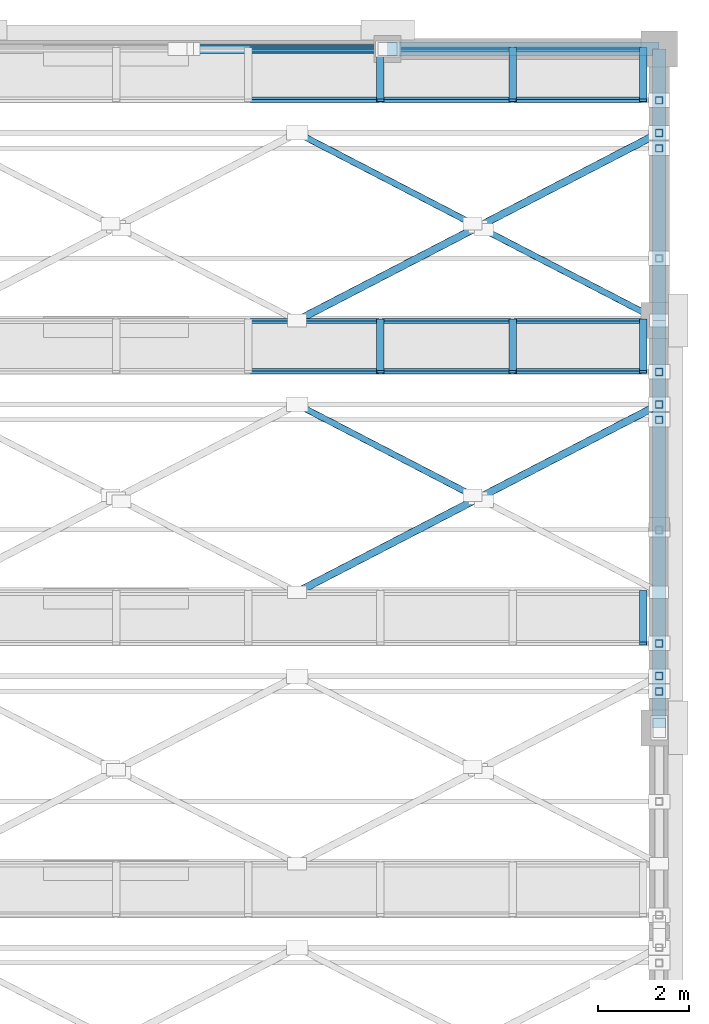
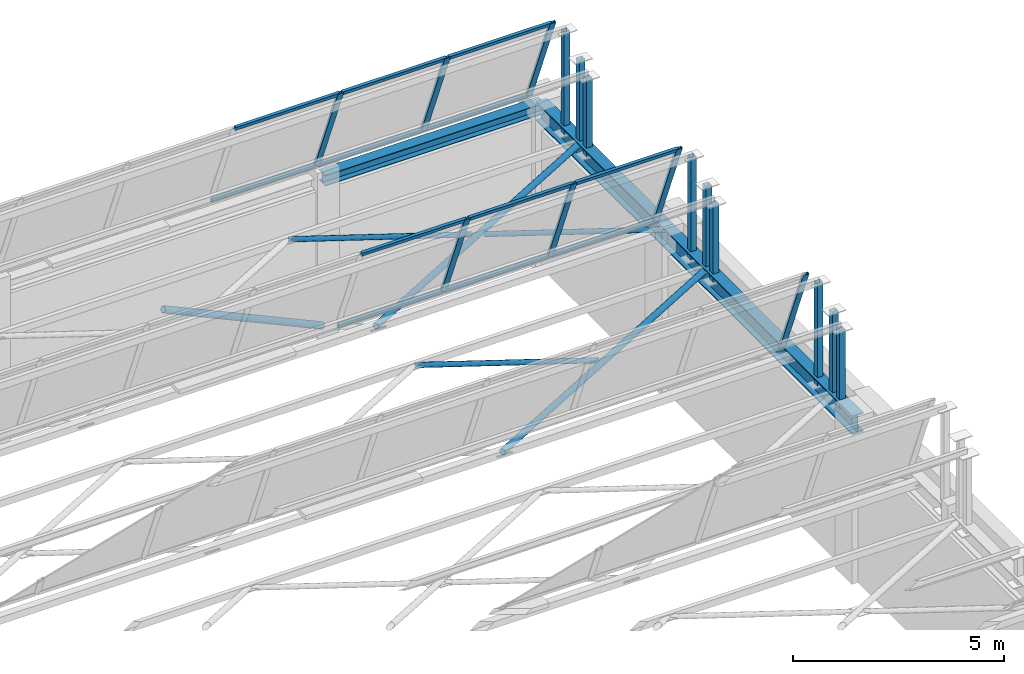
# One storey, part 62 of 98: 34 members, 3 beams, 3 elements without a shape of their own.
"""IFC4 building model written with IfcOpenShell, lengths in metres."""

from ifc_helpers import new_model, si_unit, direction, frame, origin, origin_2d, place, context, subcontext, project, spatial, hollow_rectangle, hollow_circle, i_section, extrude, material, material_profile, profile_set, type_object, element, aggregate, save


model = new_model("IFC4")

# Units and contexts
model_context = context("Model", 3, precision=1e-05, world=origin(), true_north=direction((0.0, 1.0)))
body_context = subcontext(model_context, "Body", "Model", "MODEL_VIEW")
ifc_project = project(units=[si_unit("LENGTHUNIT", "METRE"), si_unit("AREAUNIT", "SQUARE_METRE"), si_unit("VOLUMEUNIT", "CUBIC_METRE"), si_unit("PLANEANGLEUNIT", "RADIAN"), si_unit("MASSUNIT", "GRAM", prefix="KILO")], contexts=[model_context])

# Site, building, storey
site_placement = place(None, origin())
site = spatial("IfcSite", under=ifc_project, at=site_placement, CompositionType="ELEMENT")
building_placement = place(site_placement, origin())
building = spatial("IfcBuilding", under=site, at=building_placement, Name="Lykobir Media Centre", CompositionType="ELEMENT")
storey_placement = place(building_placement, frame((0.0, 0.0, 10.199951171875)))
storey = spatial("IfcBuildingStorey", under=building, at=storey_placement, Name="L02", CompositionType="ELEMENT", Elevation=10.199951171875)

# Beams
ifc_material_1 = material(Name="Steel S355", Category="steel")
ifc_material_profile_1 = material_profile(ifc_material_1, i_section(OverallWidth=0.300048828125, OverallDepth=0.550048828125, WebThickness=0.014892578125, FlangeThickness=0.029052734375, at=origin_2d()), Name="HEB 550")
ifc_profile_set_1 = profile_set([ifc_material_profile_1], Name="Steel S355")
beam_type_1 = type_object("IfcBeamType", Name="BM-HEB550-E", PredefinedType="BEAM", material=ifc_profile_set_1)
beam_1_placement = place(storey_placement, frame((168.0, 99.0, 4.275146484375), z_axis=(0.0, 1.0, 0.0), x_axis=(-1.0, 0.0, 0.0)))
element("IfcBeam", 1, at=beam_1_placement, inside=storey, type_object=beam_type_1, Name="Beam BM-L02-1680-0990-1680-1080-1448", PredefinedType="BEAM", context=body_context, shape_type="SweptSolid", body=[
    extrude(i_section(OverallWidth=0.300048828125, OverallDepth=0.550048828125, WebThickness=0.014892578125, FlangeThickness=0.029052734375, at=origin_2d()), origin(), (0.0, 0.0, 1.0), 9.0),
])
beam_2_placement = place(storey_placement, frame((168.0, 108.0, 4.275146484375), z_axis=(0.0, 1.0, 0.0), x_axis=(-1.0, 0.0, 0.0)))
element("IfcBeam", 2, at=beam_2_placement, inside=storey, type_object=beam_type_1, Name="Beam BM-L02-1680-1080-1680-1140-1448", PredefinedType="BEAM", context=body_context, shape_type="SweptSolid", body=[
    extrude(i_section(OverallWidth=0.300048828125, OverallDepth=0.550048828125, WebThickness=0.014892578125, FlangeThickness=0.029052734375, at=origin_2d()), origin(), (0.0, 0.0, 1.0), 6.0),
])

# Members
ifc_material_profile_2 = material_profile(ifc_material_1, hollow_circle(Radius=0.06982421875, WallThickness=0.008056640625, at=origin_2d()), Name="CHS 139.7x8.0")
ifc_profile_set_2 = profile_set([ifc_material_profile_2], Name="Steel S355")
member_type_1 = type_object("IfcMemberType", Name="BR-CHS140", PredefinedType="BRACE", material=ifc_profile_set_2)
member_1_placement = place(storey_placement, frame((163.875732421875, 104.136962890625, 4.43994140625), z_axis=(-0.88790262671, 0.460031439666, 0.0), x_axis=(-0.460031439666, -0.88790262671, 0.0)))
element("IfcMember", 3, at=member_1_placement, inside=storey, type_object=member_type_1, Name="Diagonal brace MEM2-L02-1639-1041-0146-1600-1061-0396", PredefinedType="BRACE", context=body_context, shape_type="SweptSolid", body=[
    extrude(hollow_circle(Radius=0.06982421875, WallThickness=0.008056640625, at=origin_2d()), origin(), (0.0, 0.0, 1.0), 4.364990234375),
])
member_2_placement = place(storey_placement, frame((168.0, 108.0, 4.43994140625), z_axis=(-0.887879780504, 0.460075532247, 0.0), x_axis=(-0.460075532247, -0.887879780504, 0.0)))
element("IfcMember", 4, at=member_2_placement, inside=storey, type_object=member_type_1, Name="Diagonal brace MEM2-L02-1680-1080-0146-1641-1100-0415", PredefinedType="BRACE", context=body_context, shape_type="SweptSolid", body=[
    extrude(hollow_circle(Radius=0.06982421875, WallThickness=0.008056640625, at=origin_2d()), origin(), (0.0, 0.0, 1.0), 4.365234375),
])
member_3_placement = place(storey_placement, frame((163.875732421875, 110.136962890625, 4.43994140625), z_axis=(-0.88790262671, 0.460031439666, 0.0), x_axis=(-0.460031439666, -0.88790262671, 0.0)))
element("IfcMember", 5, at=member_3_placement, inside=storey, type_object=member_type_1, Name="Diagonal brace MEM2-L02-1639-1101-0146-1600-1121-0416", PredefinedType="BRACE", context=body_context, shape_type="SweptSolid", body=[
    extrude(hollow_circle(Radius=0.06982421875, WallThickness=0.008056640625, at=origin_2d()), origin(), (0.0, 0.0, 1.0), 4.364990234375),
])
ifc_material_profile_3 = material_profile(ifc_material_1, hollow_circle(Radius=0.084228515625, WallThickness=0.010009765625, at=origin_2d()), Name="CHS 168.3x10.0")
ifc_profile_set_3 = profile_set([ifc_material_profile_3], Name="Steel S355")
member_type_2 = type_object("IfcMemberType", Name="BR-CHS168", PredefinedType="BRACE", material=ifc_profile_set_3)
for number, where, z_axis, x_axis, name in (
    (6, (160.0, 102.0, 4.43994140625), (0.887896386773, 0.460043483113, 0.0), (-0.460043483113, 0.887896386773, 0.0), "Diagonal brace MEM2-L02-1600-1020-0146-1680-1061-0394"),
    (7, (160.0, 108.0, 4.43994140625), (0.887896386773, 0.460043483113, 0.0), (-0.460043483113, 0.887896386773, 0.0), "Diagonal brace MEM2-L02-1600-1080-0146-1680-1121-0414"),
):
    element("IfcMember", number, at=place(storey_placement, frame(where, z_axis=z_axis, x_axis=x_axis)), inside=storey, type_object=member_type_2, Name=name, PredefinedType="BRACE", context=body_context, shape_type="SweptSolid", body=[
        extrude(hollow_circle(Radius=0.084228515625, WallThickness=0.010009765625, at=origin_2d()), origin(), (0.0, 0.0, 1.0), 9.010009765625),
    ])
ifc_material_profile_4 = material_profile(ifc_material_1, hollow_circle(Radius=0.096923828125, WallThickness=0.010009765625, at=origin_2d()), Name="CHS 193.7x10.0")
ifc_profile_set_4 = profile_set([ifc_material_profile_4], Name="Steel S355")
member_type_3 = type_object("IfcMemberType", Name="BR-CHS194-E", PredefinedType="BRACE", material=ifc_profile_set_4)
member_4_placement = place(storey_placement, frame((162.0, 114.0, 0.1201171875), z_axis=(-0.909254600078, 0.0, 0.416240401976), x_axis=(0.0, -1.0, 0.0)))
element("IfcMember", 8, at=member_4_placement, inside=storey, type_object=member_type_3, Name="Diagonal brace MEM2-L02-1620-1140-0103-1576-1140-0570", PredefinedType="BRACE", context=body_context, shape_type="SweptSolid", body=[
    extrude(hollow_circle(Radius=0.096923828125, WallThickness=0.010009765625, at=origin_2d()), origin(), (0.0, 0.0, 1.0), 4.7890625),
])
ifc_material_profile_5 = material_profile(ifc_material_1, hollow_rectangle(XDim=0.159912109375, YDim=0.159912109375, WallThickness=0.008056640625, at=origin_2d()), Name="SHS 160x160x8")
ifc_profile_set_5 = profile_set([ifc_material_profile_5], Name="Steel S355")
member_type_4 = type_object("IfcMemberType", Name="BR-SHS160-E", PredefinedType="BRACE", material=ifc_profile_set_5)
member_5_placement = place(storey_placement, frame((168.0, 100.864990234375, 4.300048828125), z_axis=(0.0, 0.0, 1.0), x_axis=(1.0, 0.0, 0.0)))
element("IfcMember", 9, at=member_5_placement, inside=storey, type_object=member_type_4, Name="Diagonal brace MEM2-L02-1680-1009-0145-1680-1009-0363", PredefinedType="BRACE", context=body_context, shape_type="SweptSolid", body=[
    extrude(hollow_rectangle(XDim=0.159912109375, YDim=0.159912109375, WallThickness=0.008056640625, at=origin_2d()), origin(), (0.0, 0.0, 1.0), 2.958984375),
])
member_6_placement = place(storey_placement, frame((168.0, 100.14501953125, 4.43994140625), z_axis=(0.0, 0.0, 1.0), x_axis=(1.0, 0.0, 0.0)))
element("IfcMember", 10, at=member_6_placement, inside=storey, type_object=member_type_4, Name="Diagonal brace MEM2-L02-1680-1001-0146-1680-1001-0365", PredefinedType="BRACE", context=body_context, shape_type="SweptSolid", body=[
    extrude(hollow_rectangle(XDim=0.159912109375, YDim=0.159912109375, WallThickness=0.008056640625, at=origin_2d()), origin(), (0.0, 0.0, 1.0), 2.433349609375),
])
member_7_placement = place(storey_placement, frame((168.0, 99.805908203125, 4.300048828125), z_axis=(0.0, 0.0, 1.0), x_axis=(1.0, 0.0, 0.0)))
element("IfcMember", 11, at=member_7_placement, inside=storey, type_object=member_type_4, Name="Diagonal brace MEM2-L02-1680-0998-0145-1680-0998-0380", PredefinedType="BRACE", context=body_context, shape_type="SweptSolid", body=[
    extrude(hollow_rectangle(XDim=0.159912109375, YDim=0.159912109375, WallThickness=0.008056640625, at=origin_2d()), origin(), (0.0, 0.0, 1.0), 2.24462890625),
])
member_8_placement = place(storey_placement, frame((168.0, 106.864990234375, 4.300048828125), z_axis=(0.0, 0.0, 1.0), x_axis=(1.0, 0.0, 0.0)))
element("IfcMember", 12, at=member_8_placement, inside=storey, type_object=member_type_4, Name="Diagonal brace MEM2-L02-1680-1069-0145-1680-1069-0383", PredefinedType="BRACE", context=body_context, shape_type="SweptSolid", body=[
    extrude(hollow_rectangle(XDim=0.159912109375, YDim=0.159912109375, WallThickness=0.008056640625, at=origin_2d()), origin(), (0.0, 0.0, 1.0), 2.958984375),
])
member_9_placement = place(storey_placement, frame((168.0, 106.14501953125, 4.43994140625), z_axis=(0.0, 0.0, 1.0), x_axis=(1.0, 0.0, 0.0)))
element("IfcMember", 13, at=member_9_placement, inside=storey, type_object=member_type_4, Name="Diagonal brace MEM2-L02-1680-1061-0146-1680-1061-0385", PredefinedType="BRACE", context=body_context, shape_type="SweptSolid", body=[
    extrude(hollow_rectangle(XDim=0.159912109375, YDim=0.159912109375, WallThickness=0.008056640625, at=origin_2d()), origin(), (0.0, 0.0, 1.0), 2.433349609375),
])
member_10_placement = place(storey_placement, frame((168.0, 105.805908203125, 4.300048828125), z_axis=(0.0, 0.0, 1.0), x_axis=(1.0, 0.0, 0.0)))
element("IfcMember", 14, at=member_10_placement, inside=storey, type_object=member_type_4, Name="Diagonal brace MEM2-L02-1680-1058-0145-1680-1058-0400", PredefinedType="BRACE", context=body_context, shape_type="SweptSolid", body=[
    extrude(hollow_rectangle(XDim=0.159912109375, YDim=0.159912109375, WallThickness=0.008056640625, at=origin_2d()), origin(), (0.0, 0.0, 1.0), 2.24462890625),
])
member_11_placement = place(storey_placement, frame((168.0, 112.864990234375, 4.300048828125), z_axis=(0.0, 0.0, 1.0), x_axis=(1.0, 0.0, 0.0)))
element("IfcMember", 15, at=member_11_placement, inside=storey, type_object=member_type_4, Name="Diagonal brace MEM2-L02-1680-1129-0145-1680-1129-0403", PredefinedType="BRACE", context=body_context, shape_type="SweptSolid", body=[
    extrude(hollow_rectangle(XDim=0.159912109375, YDim=0.159912109375, WallThickness=0.008056640625, at=origin_2d()), origin(), (0.0, 0.0, 1.0), 2.958984375),
])
member_12_placement = place(storey_placement, frame((168.0, 112.14501953125, 4.43994140625), z_axis=(0.0, 0.0, 1.0), x_axis=(1.0, 0.0, 0.0)))
element("IfcMember", 16, at=member_12_placement, inside=storey, type_object=member_type_4, Name="Diagonal brace MEM2-L02-1680-1121-0146-1680-1121-0405", PredefinedType="BRACE", context=body_context, shape_type="SweptSolid", body=[
    extrude(hollow_rectangle(XDim=0.159912109375, YDim=0.159912109375, WallThickness=0.008056640625, at=origin_2d()), origin(), (0.0, 0.0, 1.0), 2.433349609375),
])
member_13_placement = place(storey_placement, frame((168.0, 111.805908203125, 4.300048828125), z_axis=(0.0, 0.0, 1.0), x_axis=(1.0, 0.0, 0.0)))
element("IfcMember", 17, at=member_13_placement, inside=storey, type_object=member_type_4, Name="Diagonal brace MEM2-L02-1680-1118-0145-1680-1118-0420", PredefinedType="BRACE", context=body_context, shape_type="SweptSolid", body=[
    extrude(hollow_rectangle(XDim=0.159912109375, YDim=0.159912109375, WallThickness=0.008056640625, at=origin_2d()), origin(), (0.0, 0.0, 1.0), 2.24462890625),
])

# Curtain wall, member
ifc_material_2 = material(Name="Anodized Aluminium AW-6060", Category="aluminium")
curtain_wall_type = type_object("IfcCurtainWallType", Name="CW-NL-V2", PredefinedType="NOTDEFINED", material=ifc_material_2)
curtain_wall_1_placement = place(storey_placement, origin())
curtain_wall_1 = element("IfcCurtainWall", 18, at=curtain_wall_1_placement, inside=storey, type_object=curtain_wall_type, Name="Curtain wall CW-NL-V2-05", PredefinedType="NOTDEFINED")
ifc_material_profile_6 = material_profile(ifc_material_2, hollow_rectangle(XDim=0.070068359375, YDim=0.1650390625, WallThickness=0.00390625, at=origin_2d()), Name="ALU MULLION 70x165")
ifc_profile_set_6 = profile_set([ifc_material_profile_6], Name="Anodized Aluminium AW-6060")
member_type_5 = type_object("IfcMemberType", Name="CWM-165", PredefinedType="MULLION", material=ifc_profile_set_6)
member_14_placement = place(storey_placement, frame((167.64501953125, 102.0, 4.800048828125), z_axis=(0.0, -0.374653582974, 0.927164868168), x_axis=(0.0, 0.927164868168, 0.374653582974)))
member_14 = element("IfcMember", 19, at=member_14_placement, type_object=member_type_5, Name="CW-NL-V2-05 mullion 9", PredefinedType="MULLION", context=body_context, shape_type="SweptSolid", body=[
    extrude(hollow_rectangle(XDim=0.070068359375, YDim=0.1650390625, WallThickness=0.00390625, at=origin_2d()), origin(), (0.0, 0.0, 1.0), 3.029541015625),
])
aggregate(curtain_wall_1, [member_14])

# Curtain wall, members
curtain_wall_2_placement = place(storey_placement, origin())
curtain_wall_2 = element("IfcCurtainWall", 20, at=curtain_wall_2_placement, inside=storey, type_object=curtain_wall_type, Name="Curtain wall CW-NL-V2-06", PredefinedType="NOTDEFINED")
member_15_placement = place(storey_placement, frame((161.840087890625, 108.0, 4.800048828125), z_axis=(0.0, -0.374653582974, 0.927164868168), x_axis=(0.0, 0.927164868168, 0.374653582974)))
member_15 = element("IfcMember", 21, at=member_15_placement, type_object=member_type_5, Name="CW-NL-V2-06 mullion 7", PredefinedType="MULLION", context=body_context, shape_type="SweptSolid", body=[
    extrude(hollow_rectangle(XDim=0.070068359375, YDim=0.1650390625, WallThickness=0.00390625, at=origin_2d()), origin(), (0.0, 0.0, 1.0), 3.029541015625),
])
member_16_placement = place(storey_placement, frame((164.760009765625, 108.0, 4.800048828125), z_axis=(0.0, -0.374653582974, 0.927164868168), x_axis=(0.0, 0.927164868168, 0.374653582974)))
member_16 = element("IfcMember", 22, at=member_16_placement, type_object=member_type_5, Name="CW-NL-V2-06 mullion 8", PredefinedType="MULLION", context=body_context, shape_type="SweptSolid", body=[
    extrude(hollow_rectangle(XDim=0.070068359375, YDim=0.1650390625, WallThickness=0.00390625, at=origin_2d()), origin(), (0.0, 0.0, 1.0), 3.029541015625),
])
member_17_placement = place(storey_placement, frame((167.64501953125, 108.0, 4.800048828125), z_axis=(0.0, -0.374653582974, 0.927164868168), x_axis=(0.0, 0.927164868168, 0.374653582974)))
member_17 = element("IfcMember", 23, at=member_17_placement, type_object=member_type_5, Name="CW-NL-V2-06 mullion 9", PredefinedType="MULLION", context=body_context, shape_type="SweptSolid", body=[
    extrude(hollow_rectangle(XDim=0.070068359375, YDim=0.1650390625, WallThickness=0.00390625, at=origin_2d()), origin(), (0.0, 0.0, 1.0), 3.029541015625),
])

curtain_wall_3_placement = place(storey_placement, origin())
curtain_wall_3 = element("IfcCurtainWall", 24, at=curtain_wall_3_placement, inside=storey, type_object=curtain_wall_type, Name="Curtain wall CW-NL-V2-07", PredefinedType="NOTDEFINED")
member_18_placement = place(storey_placement, frame((161.840087890625, 114.0, 4.800048828125), z_axis=(0.0, -0.374653582974, 0.927164868168), x_axis=(0.0, 0.927164868168, 0.374653582974)))
member_18 = element("IfcMember", 25, at=member_18_placement, type_object=member_type_5, Name="CW-NL-V2-07 mullion 7", PredefinedType="MULLION", context=body_context, shape_type="SweptSolid", body=[
    extrude(hollow_rectangle(XDim=0.070068359375, YDim=0.1650390625, WallThickness=0.00390625, at=origin_2d()), origin(), (0.0, 0.0, 1.0), 3.029541015625),
])
member_19_placement = place(storey_placement, frame((164.760009765625, 114.0, 4.800048828125), z_axis=(0.0, -0.374653582974, 0.927164868168), x_axis=(0.0, 0.927164868168, 0.374653582974)))
member_19 = element("IfcMember", 26, at=member_19_placement, type_object=member_type_5, Name="CW-NL-V2-07 mullion 8", PredefinedType="MULLION", context=body_context, shape_type="SweptSolid", body=[
    extrude(hollow_rectangle(XDim=0.070068359375, YDim=0.1650390625, WallThickness=0.00390625, at=origin_2d()), origin(), (0.0, 0.0, 1.0), 3.029541015625),
])
member_20_placement = place(storey_placement, frame((167.64501953125, 114.0, 4.800048828125), z_axis=(0.0, -0.374653582974, 0.927164868168), x_axis=(0.0, 0.927164868168, 0.374653582974)))
member_20 = element("IfcMember", 27, at=member_20_placement, type_object=member_type_5, Name="CW-NL-V2-07 mullion 9", PredefinedType="MULLION", context=body_context, shape_type="SweptSolid", body=[
    extrude(hollow_rectangle(XDim=0.070068359375, YDim=0.1650390625, WallThickness=0.00390625, at=origin_2d()), origin(), (0.0, 0.0, 1.0), 3.029541015625),
])

# Member
ifc_material_profile_7 = material_profile(ifc_material_2, hollow_rectangle(XDim=0.070068359375, YDim=0.135009765625, WallThickness=0.00341796875, at=origin_2d()), Name="ALU TRANSOM 70x135")
ifc_profile_set_7 = profile_set([ifc_material_profile_7], Name="Anodized Aluminium AW-6060")
member_type_6 = type_object("IfcMemberType", Name="CWT-135", PredefinedType="USERDEFINED", material=ifc_profile_set_7)
member_21_placement = place(storey_placement, frame((158.955078125, 107.98681640625, 4.83251953125), z_axis=(1.0, 0.0, 0.0), x_axis=(0.0, 0.927183854567, 0.374606593416)))
member_21 = element("IfcMember", 28, at=member_21_placement, type_object=member_type_6, Name="CW-NL-V2-06 transom 6.1", ObjectType="TRANSOM", PredefinedType="USERDEFINED", context=body_context, shape_type="SweptSolid", body=[
    extrude(hollow_rectangle(XDim=0.070068359375, YDim=0.135009765625, WallThickness=0.00341796875, at=origin_2d()), origin(), (0.0, 0.0, 1.0), 2.849853515625),
])

member_22_placement = place(storey_placement, frame((158.955078125, 106.878173828125, 7.57666015625), z_axis=(1.0, 0.0, 0.0), x_axis=(0.0, 0.927183854567, 0.374606593416)))
member_22 = element("IfcMember", 29, at=member_22_placement, type_object=member_type_6, Name="CW-NL-V2-06 transom 6.2", ObjectType="TRANSOM", PredefinedType="USERDEFINED", context=body_context, shape_type="SweptSolid", body=[
    extrude(hollow_rectangle(XDim=0.070068359375, YDim=0.135009765625, WallThickness=0.00341796875, at=origin_2d()), origin(), (0.0, 0.0, 1.0), 2.849853515625),
])

member_23_placement = place(storey_placement, frame((161.875, 107.98681640625, 4.83251953125), z_axis=(1.0, 0.0, 0.0), x_axis=(0.0, 0.927183854567, 0.374606593416)))
member_23 = element("IfcMember", 30, at=member_23_placement, type_object=member_type_6, Name="CW-NL-V2-06 transom 7.1", ObjectType="TRANSOM", PredefinedType="USERDEFINED", context=body_context, shape_type="SweptSolid", body=[
    extrude(hollow_rectangle(XDim=0.070068359375, YDim=0.135009765625, WallThickness=0.00341796875, at=origin_2d()), origin(), (0.0, 0.0, 1.0), 2.85009765625),
])

member_24_placement = place(storey_placement, frame((161.875, 106.878173828125, 7.57666015625), z_axis=(1.0, 0.0, 0.0), x_axis=(0.0, 0.927183854567, 0.374606593416)))
member_24 = element("IfcMember", 31, at=member_24_placement, type_object=member_type_6, Name="CW-NL-V2-06 transom 7.2", ObjectType="TRANSOM", PredefinedType="USERDEFINED", context=body_context, shape_type="SweptSolid", body=[
    extrude(hollow_rectangle(XDim=0.070068359375, YDim=0.135009765625, WallThickness=0.00341796875, at=origin_2d()), origin(), (0.0, 0.0, 1.0), 2.85009765625),
])

member_25_placement = place(storey_placement, frame((164.794921875, 107.98681640625, 4.83251953125), z_axis=(1.0, 0.0, 0.0), x_axis=(0.0, 0.927183854567, 0.374606593416)))
member_25 = element("IfcMember", 32, at=member_25_placement, type_object=member_type_6, Name="CW-NL-V2-06 transom 8.1", ObjectType="TRANSOM", PredefinedType="USERDEFINED", context=body_context, shape_type="SweptSolid", body=[
    extrude(hollow_rectangle(XDim=0.070068359375, YDim=0.135009765625, WallThickness=0.00341796875, at=origin_2d()), origin(), (0.0, 0.0, 1.0), 2.815185546875),
])

member_26_placement = place(storey_placement, frame((164.794921875, 106.878173828125, 7.57666015625), z_axis=(1.0, 0.0, 0.0), x_axis=(0.0, 0.927183854567, 0.374606593416)))
member_26 = element("IfcMember", 33, at=member_26_placement, type_object=member_type_6, Name="CW-NL-V2-06 transom 8.2", ObjectType="TRANSOM", PredefinedType="USERDEFINED", context=body_context, shape_type="SweptSolid", body=[
    extrude(hollow_rectangle(XDim=0.070068359375, YDim=0.135009765625, WallThickness=0.00341796875, at=origin_2d()), origin(), (0.0, 0.0, 1.0), 2.815185546875),
])

aggregate(curtain_wall_2, [member_15, member_16, member_17, member_21, member_22, member_23, member_24, member_25, member_26])

member_27_placement = place(storey_placement, frame((158.955078125, 113.98681640625, 4.83251953125), z_axis=(1.0, 0.0, 0.0), x_axis=(0.0, 0.927183854567, 0.374606593416)))
member_27 = element("IfcMember", 34, at=member_27_placement, type_object=member_type_6, Name="CW-NL-V2-07 transom 6.1", ObjectType="TRANSOM", PredefinedType="USERDEFINED", context=body_context, shape_type="SweptSolid", body=[
    extrude(hollow_rectangle(XDim=0.070068359375, YDim=0.135009765625, WallThickness=0.00341796875, at=origin_2d()), origin(), (0.0, 0.0, 1.0), 2.849853515625),
])

member_28_placement = place(storey_placement, frame((158.955078125, 112.878173828125, 7.57666015625), z_axis=(1.0, 0.0, 0.0), x_axis=(0.0, 0.927183854567, 0.374606593416)))
member_28 = element("IfcMember", 35, at=member_28_placement, type_object=member_type_6, Name="CW-NL-V2-07 transom 6.2", ObjectType="TRANSOM", PredefinedType="USERDEFINED", context=body_context, shape_type="SweptSolid", body=[
    extrude(hollow_rectangle(XDim=0.070068359375, YDim=0.135009765625, WallThickness=0.00341796875, at=origin_2d()), origin(), (0.0, 0.0, 1.0), 2.849853515625),
])

member_29_placement = place(storey_placement, frame((161.875, 113.98681640625, 4.83251953125), z_axis=(1.0, 0.0, 0.0), x_axis=(0.0, 0.927183854567, 0.374606593416)))
member_29 = element("IfcMember", 36, at=member_29_placement, type_object=member_type_6, Name="CW-NL-V2-07 transom 7.1", ObjectType="TRANSOM", PredefinedType="USERDEFINED", context=body_context, shape_type="SweptSolid", body=[
    extrude(hollow_rectangle(XDim=0.070068359375, YDim=0.135009765625, WallThickness=0.00341796875, at=origin_2d()), origin(), (0.0, 0.0, 1.0), 2.85009765625),
])

member_30_placement = place(storey_placement, frame((161.875, 112.878173828125, 7.57666015625), z_axis=(1.0, 0.0, 0.0), x_axis=(0.0, 0.927183854567, 0.374606593416)))
member_30 = element("IfcMember", 37, at=member_30_placement, type_object=member_type_6, Name="CW-NL-V2-07 transom 7.2", ObjectType="TRANSOM", PredefinedType="USERDEFINED", context=body_context, shape_type="SweptSolid", body=[
    extrude(hollow_rectangle(XDim=0.070068359375, YDim=0.135009765625, WallThickness=0.00341796875, at=origin_2d()), origin(), (0.0, 0.0, 1.0), 2.85009765625),
])

member_31_placement = place(storey_placement, frame((164.794921875, 113.98681640625, 4.83251953125), z_axis=(1.0, 0.0, 0.0), x_axis=(0.0, 0.927183854567, 0.374606593416)))
member_31 = element("IfcMember", 38, at=member_31_placement, type_object=member_type_6, Name="CW-NL-V2-07 transom 8.1", ObjectType="TRANSOM", PredefinedType="USERDEFINED", context=body_context, shape_type="SweptSolid", body=[
    extrude(hollow_rectangle(XDim=0.070068359375, YDim=0.135009765625, WallThickness=0.00341796875, at=origin_2d()), origin(), (0.0, 0.0, 1.0), 2.815185546875),
])

member_32_placement = place(storey_placement, frame((164.794921875, 112.878173828125, 7.57666015625), z_axis=(1.0, 0.0, 0.0), x_axis=(0.0, 0.927183854567, 0.374606593416)))
member_32 = element("IfcMember", 39, at=member_32_placement, type_object=member_type_6, Name="CW-NL-V2-07 transom 8.2", ObjectType="TRANSOM", PredefinedType="USERDEFINED", context=body_context, shape_type="SweptSolid", body=[
    extrude(hollow_rectangle(XDim=0.070068359375, YDim=0.135009765625, WallThickness=0.00341796875, at=origin_2d()), origin(), (0.0, 0.0, 1.0), 2.815185546875),
])

aggregate(curtain_wall_3, [member_18, member_19, member_20, member_27, member_28, member_29, member_30, member_31, member_32])

# Beam
ifc_material_profile_8 = material_profile(ifc_material_1, i_section(OverallWidth=0.300048828125, OverallDepth=0.31005859375, WebThickness=0.009033203125, FlangeThickness=0.015380859375, at=origin_2d()), Name="HEA 320")
ifc_profile_set_8 = profile_set([ifc_material_profile_8], Name="Steel S355")
beam_type_2 = type_object("IfcBeamType", Name="SP-HEA320-E", PredefinedType="SPANDREL", material=ifc_profile_set_8)
beam_3_placement = place(storey_placement, frame((162.0, 114.0, 4.39501953125), z_axis=(1.0, 0.0, 0.0), x_axis=(0.0, 1.0, 0.0)))
element("IfcBeam", 40, at=beam_3_placement, inside=storey, type_object=beam_type_2, Name="Beam BM-L02-1620-1140-1680-1140-1460", PredefinedType="SPANDREL", context=body_context, shape_type="SweptSolid", body=[
    extrude(i_section(OverallWidth=0.300048828125, OverallDepth=0.31005859375, WebThickness=0.009033203125, FlangeThickness=0.015380859375, at=origin_2d()), origin(), (0.0, 0.0, 1.0), 6.0),
])

save(model, "model.ifc")
